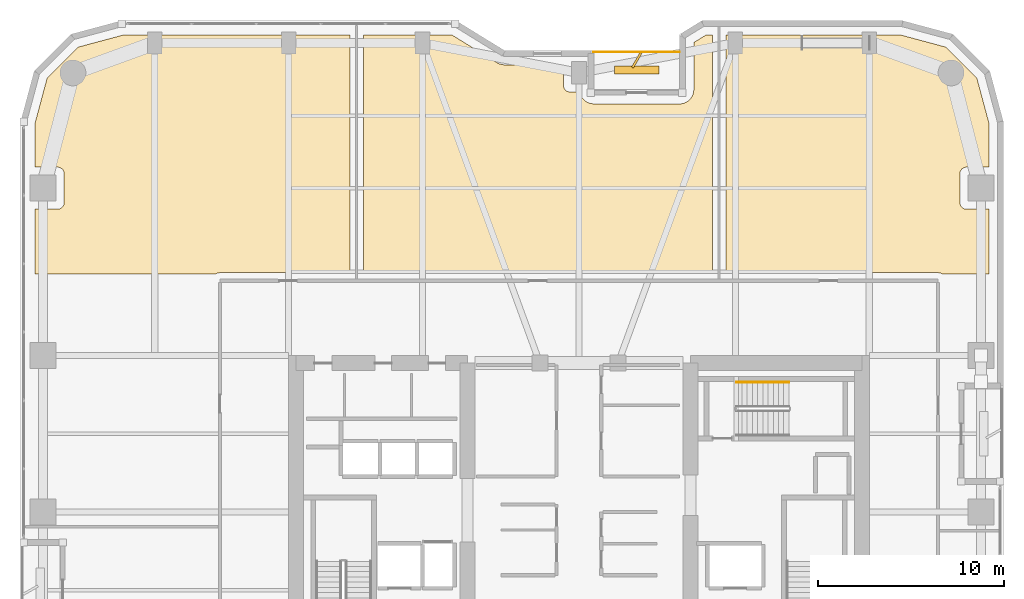
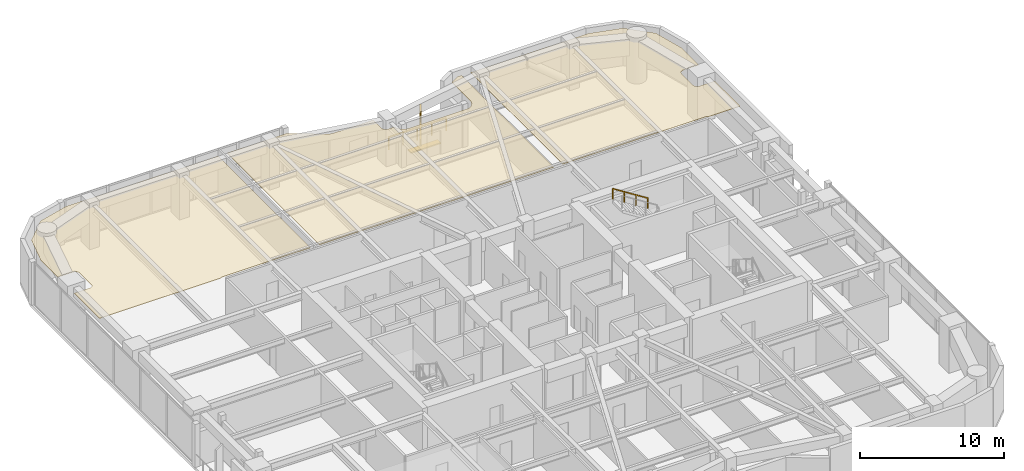
# One storey, part 24 of 24: 3 coverings, 2 railings, 2 shading devices.
"""IFC4 building model written with IfcOpenShell, lengths in metres."""

from ifc_helpers import new_model, si_unit, direction, frame, origin, origin_2d, place, context, subcontext, project, spatial, polyline, rectangle, outline, extrude, material, layer, layer_set, type_object, element, save


model = new_model("IFC4")

# Units and contexts
model_context = context("Model", 3, precision=1e-05, world=origin(), true_north=direction((0.0, 1.0)))
body_context = subcontext(model_context, "Body", "Model", "MODEL_VIEW")
ifc_project = project(units=[si_unit("LENGTHUNIT", "METRE"), si_unit("AREAUNIT", "SQUARE_METRE"), si_unit("VOLUMEUNIT", "CUBIC_METRE"), si_unit("PLANEANGLEUNIT", "RADIAN"), si_unit("MASSUNIT", "GRAM", prefix="KILO")], contexts=[model_context])

# Site, building, storey
site_placement = place(None, origin())
site = spatial("IfcSite", under=ifc_project, at=site_placement, CompositionType="ELEMENT")
building_placement = place(site_placement, origin())
building = spatial("IfcBuilding", under=site, at=building_placement, Name="Kiyonajd Concourse Tower", CompositionType="ELEMENT")
storey_placement = place(building_placement, frame((0.0, 0.0, 117.0)))
storey = spatial("IfcBuildingStorey", under=building, at=storey_placement, Name="L30", CompositionType="ELEMENT", Elevation=117.0)

# Coverings
ifc_material_1 = material(Name="Natural Oak Acoustic Timber Veneer", Category="wood")
ifc_layer = layer(ifc_material_1, 0.0400390625)
ifc_layer_set = layer_set([ifc_layer], Name="Natural Oak Acoustic Timber Veneer")
covering_type = type_object("IfcCoveringType", Name="CV-CLG-ACST", PredefinedType="CEILING", material=ifc_layer_set)
covering_1_placement = place(storey_placement, frame((0.0, 0.0, 3.4599609375)))
element("IfcCovering", 1, at=covering_1_placement, inside=storey, type_object=covering_type, Name="L30-49 Room Acoustic Ceiling", PredefinedType="CEILING", context=body_context, shape_type="SweptSolid", body=[
    extrude(outline(polyline([(21.097900390625, 60.986083984375), (23.5009765625, 61.6298828125), (35.68994140625, 61.6298828125), (35.68994140625, 48.860107421875), (28.699951171875, 48.860107421875), (28.570068359375, 48.840087890625), (28.507080078125, 48.81396484375), (28.451904296875, 48.780029296875), (18.77001953125, 48.780029296875), (18.77001953125, 52.27001953125), (19.97998046875, 52.27001953125), (20.048095703125, 52.277099609375), (20.14501953125, 52.31103515625), (20.201904296875, 52.34912109375), (20.2509765625, 52.39794921875), (20.2890625, 52.455078125), (20.31494140625, 52.51806640625), (20.330078125, 52.6201171875), (20.330078125, 54.179931640625), (20.31494140625, 54.281982421875), (20.2890625, 54.344970703125), (20.2509765625, 54.402099609375), (20.201904296875, 54.450927734375), (20.14501953125, 54.489013671875), (20.08203125, 54.514892578125), (20.013916015625, 54.528076171875), (18.77001953125, 54.530029296875), (18.77001953125, 56.89892578125), (19.4140625, 59.302001953125), (21.097900390625, 60.986083984375)])), origin(), (0.0, 0.0, 1.0), 0.0400390625),
])
covering_2_placement = place(storey_placement, frame((0.0, 0.0, 3.4599609375)))
element("IfcCovering", 2, at=covering_2_placement, inside=storey, type_object=covering_type, Name="L30-50 Room Acoustic Ceiling", PredefinedType="CEILING", context=body_context, shape_type="SweptSolid", body=[
    extrude(outline(polyline([(43.694091796875, 60.093994140625), (43.85888671875, 60.04296875), (44.0, 60.030029296875), (47.169921875, 60.030029296875), (47.169921875, 58.919921875), (47.18505859375, 58.818115234375), (47.22900390625, 58.72607421875), (47.27294921875, 58.673095703125), (47.325927734375, 58.62890625), (47.385986328125, 58.596923828125), (47.451904296875, 58.576904296875), (47.52001953125, 58.570068359375), (48.041015625, 58.570068359375), (48.069091796875, 58.4599609375), (48.114990234375, 58.34912109375), (48.18310546875, 58.240966796875), (48.242919921875, 58.16796875), (48.320068359375, 58.097900390625), (48.448974609375, 58.014892578125), (48.52099609375, 57.98291015625), (48.633056640625, 57.947998046875), (48.800048828125, 57.929931640625), (53.491943359375, 57.93603515625), (53.60693359375, 57.9580078125), (53.7041015625, 57.991943359375), (53.839111328125, 58.068115234375), (53.931884765625, 58.14306640625), (54.008056640625, 58.22802734375), (54.056884765625, 58.300048828125), (54.10791015625, 58.39599609375), (54.152099609375, 58.532958984375), (54.16796875, 58.658935546875), (54.169921875, 61.23095703125), (54.818115234375, 61.6298828125), (55.169921875, 61.6298828125), (55.169921875, 48.860107421875), (36.409912109375, 48.860107421875), (36.409912109375, 61.6298828125), (41.181884765625, 61.6298828125), (43.596923828125, 60.14404296875), (43.694091796875, 60.093994140625)])), origin(), (0.0, 0.0, 1.0), 0.0400390625),
])
covering_3_placement = place(storey_placement, frame((0.0, 0.0, 3.4599609375)))
element("IfcCovering", 3, at=covering_3_placement, inside=storey, type_object=covering_type, Name="L30-51 Room Acoustic Ceiling", PredefinedType="CEILING", context=body_context, shape_type="SweptSolid", body=[
    extrude(outline(polyline([(67.548095703125, 48.780029296875), (67.492919921875, 48.81396484375), (67.429931640625, 48.840087890625), (67.300048828125, 48.860107421875), (55.889892578125, 48.860107421875), (55.889892578125, 61.6298828125), (65.299072265625, 61.6298828125), (67.701904296875, 60.986083984375), (69.385986328125, 59.302001953125), (70.030029296875, 56.89892578125), (70.030029296875, 54.530029296875), (68.785888671875, 54.528076171875), (68.718017578125, 54.514892578125), (68.655029296875, 54.489013671875), (68.597900390625, 54.450927734375), (68.549072265625, 54.402099609375), (68.510986328125, 54.344970703125), (68.485107421875, 54.281982421875), (68.469970703125, 54.179931640625), (68.471923828125, 52.5859375), (68.4970703125, 52.486083984375), (68.549072265625, 52.39794921875), (68.597900390625, 52.34912109375), (68.655029296875, 52.31103515625), (68.751953125, 52.277099609375), (68.820068359375, 52.27001953125), (70.030029296875, 52.27001953125), (70.030029296875, 48.780029296875), (67.548095703125, 48.780029296875)])), origin(), (0.0, 0.0, 1.0), 0.0400390625),
])

# Railings
ifc_material_2 = material(Name="Thermally Broken Anodised Aluminium", Category="aluminium")
railing_type_1 = type_object("IfcRailingType", Name="RL-GRD-LOG", PredefinedType="GUARDRAIL", material=ifc_material_2)
railing_1_placement = place(storey_placement, frame((53.39990234375, 60.719970703125, 0.0)))
element("IfcRailing", 4, at=railing_1_placement, inside=storey, type_object=railing_type_1, Name="L30 Engawa Loggia Perimeter Guard LOG-N", PredefinedType="GUARDRAIL", context=body_context, shape_type="SweptSolid", body=[
    extrude(rectangle(XDim=0.048095703125, YDim=0.048095703125, at=origin_2d()), frame((0.0, 0.0, 1.076171875), z_axis=(-1.0, 0.0, 0.0), x_axis=(0.0, -1.0, 0.0)), (0.0, 0.0, 1.0), 4.599853515625),
    extrude(rectangle(XDim=0.0419921875, YDim=0.0419921875, at=origin_2d()), origin(), (0.0, 0.0, 1.0), 1.052001953125),
    extrude(rectangle(XDim=0.0419921875, YDim=0.0419921875, at=origin_2d()), frame((-1.14990234375, 0.0, 0.0)), (0.0, 0.0, 1.0), 1.052001953125),
    extrude(rectangle(XDim=0.0419921875, YDim=0.0419921875, at=origin_2d()), frame((-2.2998046875, 0.0, 0.0)), (0.0, 0.0, 1.0), 1.052001953125),
    extrude(rectangle(XDim=0.0419921875, YDim=0.0419921875, at=origin_2d()), frame((-3.449951171875, 0.0, 0.0)), (0.0, 0.0, 1.0), 1.052001953125),
    extrude(rectangle(XDim=0.0419921875, YDim=0.0419921875, at=origin_2d()), frame((-4.599853515625, 0.0, 0.0)), (0.0, 0.0, 1.0), 1.052001953125),
])
ifc_material_3 = material(Name="Brushed Stainless Steel Cab Assembly", Category="steel")
railing_type_2 = type_object("IfcRailingType", Name="RL-HND-900", PredefinedType="HANDRAIL", material=ifc_material_3)
railing_2_placement = place(storey_placement, frame((59.280029296875, 42.969970703125, 2.127197265625)))
element("IfcRailing", 5, at=railing_2_placement, inside=storey, type_object=railing_type_2, Name="L30 ST3 stair handrail 2", PredefinedType="HANDRAIL", context=body_context, shape_type="SweptSolid", body=[
    extrude(rectangle(XDim=0.048095703125, YDim=0.048095703125, at=origin_2d()), frame((0.0, 0.0, 0.8759765625), z_axis=(-0.844908973607, 0.0, 0.534910110503), x_axis=(0.0, -1.0, 0.0)), (0.0, 0.0, 1.0), 3.31396484375),
    extrude(rectangle(XDim=0.0419921875, YDim=0.0419921875, at=origin_2d()), origin(), (0.0, 0.0, 1.0), 0.851806640625),
    extrude(rectangle(XDim=0.0419921875, YDim=0.0419921875, at=origin_2d()), frame((-0.933349609375, 0.0, 0.5908203125)), (0.0, 0.0, 1.0), 0.851806640625),
    extrude(rectangle(XDim=0.0419921875, YDim=0.0419921875, at=origin_2d()), frame((-1.86669921875, 0.0, 1.181884765625)), (0.0, 0.0, 1.0), 0.851806640625),
    extrude(rectangle(XDim=0.0419921875, YDim=0.0419921875, at=origin_2d()), frame((-2.800048828125, 0.0, 1.772705078125)), (0.0, 0.0, 1.0), 0.851806640625),
])

# Shading devices
ifc_material_4 = material(Name="Precast concrete C50/60", Category="concrete")
shading_device_type_1 = type_object("IfcShadingDeviceType", Name="SH-FIN-900", PredefinedType="USERDEFINED", material=ifc_material_4)
shading_device_1_placement = place(storey_placement, frame((51.10009765625, 60.27001953125, 0.0), z_axis=(0.0, 0.0, 1.0), x_axis=(0.5, 0.866025403784, 0.0)))
element("IfcShadingDevice", 6, at=shading_device_1_placement, inside=storey, type_object=shading_device_type_1, Name="L30 Angled Koshi Solar Fin LOG-N", ObjectType="FIN", PredefinedType="USERDEFINED", context=body_context, shape_type="SweptSolid", body=[
    extrude(rectangle(XDim=0.89990234375, YDim=0.1201171875, at=origin_2d()), origin(), (0.0, 0.0, 1.0), 3.0),
])
shading_device_type_2 = type_object("IfcShadingDeviceType", Name="SH-LVR-600", PredefinedType="JALOUSIE", material=ifc_material_2)
shading_device_2_placement = place(storey_placement, frame((51.10009765625, 59.75, 0.0), z_axis=(0.0, 0.0, 1.0), x_axis=(1.0, 0.0, 0.0)))
element("IfcShadingDevice", 7, at=shading_device_2_placement, inside=storey, type_object=shading_device_type_2, Name="L30 Loggia Threshold Louver LOG-N", PredefinedType="JALOUSIE", context=body_context, shape_type="SweptSolid", body=[
    extrude(rectangle(XDim=2.39990234375, YDim=0.449951171875, at=origin_2d()), origin(), (0.0, 0.0, 1.0), 0.10009765625),
])

save(model, "model.ifc")
